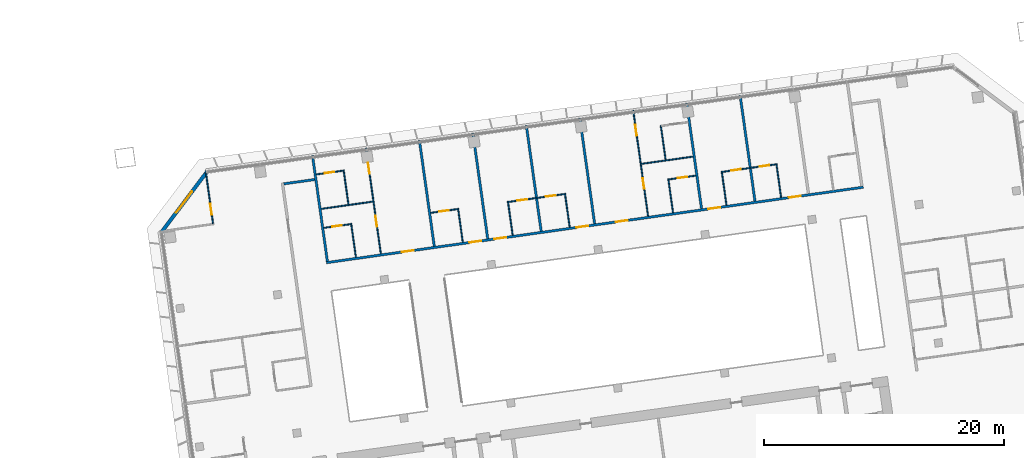
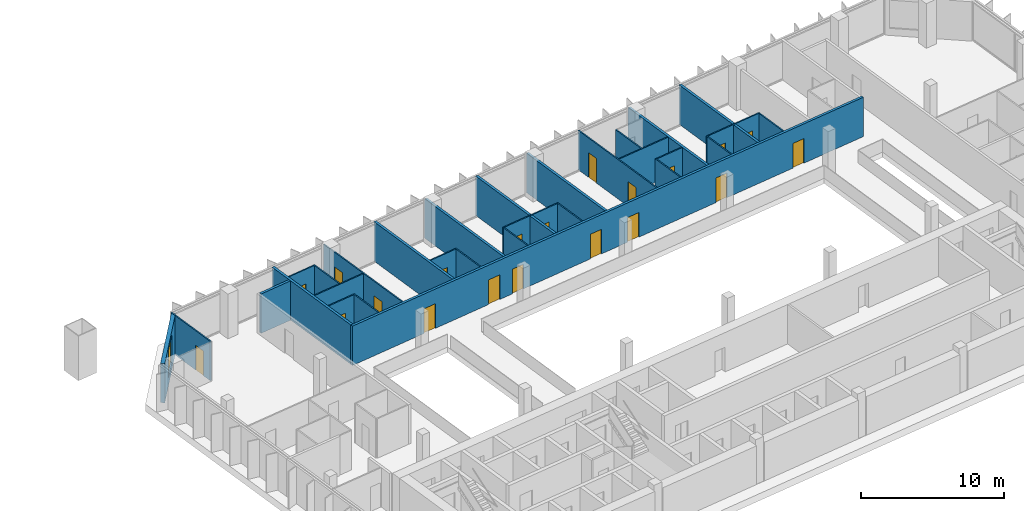
# One storey, part 20 of 24: 30 walls, 20 doors, 1 window, 21 openings.
"""IFC4 building model written with IfcOpenShell, lengths in metres."""

from ifc_helpers import new_model, si_unit, direction, frame, frame_2d, origin, place, context, subcontext, project, spatial, rectangle, extrude, material, layer, layer_set, type_object, element, fill, save


model = new_model("IFC4")

# Units and contexts
model_context = context("Model", 3, precision=1e-05, world=origin(), true_north=direction((0.0, 1.0)))
body_context = subcontext(model_context, "Body", "Model", "MODEL_VIEW")
ifc_project = project(units=[si_unit("LENGTHUNIT", "METRE"), si_unit("AREAUNIT", "SQUARE_METRE"), si_unit("VOLUMEUNIT", "CUBIC_METRE"), si_unit("PLANEANGLEUNIT", "RADIAN"), si_unit("MASSUNIT", "GRAM", prefix="KILO")], contexts=[model_context])

# Site, building, storey
site_placement = place(None, origin())
site = spatial("IfcSite", under=ifc_project, at=site_placement, CompositionType="ELEMENT")
building_placement = place(site_placement, origin())
building = spatial("IfcBuilding", under=site, at=building_placement, Name="Mirante Cascada Hotel Towers", CompositionType="ELEMENT")
storey_placement = place(building_placement, frame((0.0, 0.0, 110.1)))
storey = spatial("IfcBuildingStorey", under=building, at=storey_placement, Name="L24", CompositionType="ELEMENT", Elevation=110.1)

# Wall, openings, doors
ifc_material_1 = material(Name="Fire-rated plasterboard on metal studs")
ifc_layer_1 = layer(ifc_material_1, 0.2)
ifc_layer_set_1 = layer_set([ifc_layer_1], Name="Compartment wall 200 EI 120")
wall_type_1 = type_object("IfcWallType", Name="Compartment wall 200 EI 120", PredefinedType="PARTITIONING", material=ifc_layer_set_1)
wall_1_placement = place(storey_placement, frame((86.638, 16.0582, 0.0), z_axis=(0.0, 0.0, 1.0), x_axis=(-0.9902681, -0.1391726, 0.0)))
wall_1 = element("IfcWall", 1, at=wall_1_placement, inside=storey, type_object=wall_type_1, Name="Wall 2-L24-18", PredefinedType="PARTITIONING", context=body_context, shape_type="SweptSolid", body=[
    extrude(rectangle(XDim=45.2, YDim=0.2, at=frame_2d((22.6, 0.0))), origin(), (0.0, 0.0, 1.0), 3.35),
])
opening_1_placement = place(wall_1_placement, frame((37.85, 0.0, 0.0)))
opening_1 = element("IfcOpeningElement", 2, at=opening_1_placement, cuts=wall_1, Name="Opening D2-L24-09", PredefinedType="OPENING", context=body_context, shape_type="SweptSolid", body=[
    extrude(rectangle(XDim=1.0, YDim=2.1, at=frame_2d((0.5, 1.05))), frame((0.0, 0.1, 0.0), z_axis=(0.0, -1.0, 0.0), x_axis=(1.0, 0.0, 0.0)), (0.0, 0.0, 1.0), 0.2),
])
opening_2_placement = place(wall_1_placement, frame((32.15, 0.0, 0.0)))
opening_2 = element("IfcOpeningElement", 3, at=opening_2_placement, cuts=wall_1, Name="Opening D2-L24-10", PredefinedType="OPENING", context=body_context, shape_type="SweptSolid", body=[
    extrude(rectangle(XDim=1.0, YDim=2.1, at=frame_2d((0.5, 1.05))), frame((0.0, 0.1, 0.0), z_axis=(0.0, -1.0, 0.0), x_axis=(1.0, 0.0, 0.0)), (0.0, 0.0, 1.0), 0.2),
])
opening_3_placement = place(wall_1_placement, frame((30.05, 0.0, 0.0)))
opening_3 = element("IfcOpeningElement", 4, at=opening_3_placement, cuts=wall_1, Name="Opening D2-L24-11", PredefinedType="OPENING", context=body_context, shape_type="SweptSolid", body=[
    extrude(rectangle(XDim=1.0, YDim=2.1, at=frame_2d((0.5, 1.05))), frame((0.0, 0.1, 0.0), z_axis=(0.0, -1.0, 0.0), x_axis=(1.0, 0.0, 0.0)), (0.0, 0.0, 1.0), 0.2),
])
opening_4_placement = place(wall_1_placement, frame((23.15, 0.0, 0.0)))
opening_4 = element("IfcOpeningElement", 5, at=opening_4_placement, cuts=wall_1, Name="Opening D2-L24-12", PredefinedType="OPENING", context=body_context, shape_type="SweptSolid", body=[
    extrude(rectangle(XDim=1.0, YDim=2.1, at=frame_2d((0.5, 1.05))), frame((0.0, 0.1, 0.0), z_axis=(0.0, -1.0, 0.0), x_axis=(1.0, 0.0, 0.0)), (0.0, 0.0, 1.0), 0.2),
])
opening_5_placement = place(wall_1_placement, frame((19.85, 0.0, 0.0)))
opening_5 = element("IfcOpeningElement", 6, at=opening_5_placement, cuts=wall_1, Name="Opening D2-L24-13", PredefinedType="OPENING", context=body_context, shape_type="SweptSolid", body=[
    extrude(rectangle(XDim=1.0, YDim=2.1, at=frame_2d((0.5, 1.05))), frame((0.0, 0.1, 0.0), z_axis=(0.0, -1.0, 0.0), x_axis=(1.0, 0.0, 0.0)), (0.0, 0.0, 1.0), 0.2),
])
opening_6_placement = place(wall_1_placement, frame((12.05, 0.0, 0.0)))
opening_6 = element("IfcOpeningElement", 7, at=opening_6_placement, cuts=wall_1, Name="Opening D2-L24-14", PredefinedType="OPENING", context=body_context, shape_type="SweptSolid", body=[
    extrude(rectangle(XDim=1.0, YDim=2.1, at=frame_2d((0.5, 1.05))), frame((0.0, 0.1, 0.0), z_axis=(0.0, -1.0, 0.0), x_axis=(1.0, 0.0, 0.0)), (0.0, 0.0, 1.0), 0.2),
])
opening_7_placement = place(wall_1_placement, frame((5.25, 0.0, 0.0)))
opening_7 = element("IfcOpeningElement", 8, at=opening_7_placement, cuts=wall_1, Name="Opening D2-L24-15", PredefinedType="OPENING", context=body_context, shape_type="SweptSolid", body=[
    extrude(rectangle(XDim=1.0, YDim=2.1, at=frame_2d((0.5, 1.05))), frame((0.0, 0.1, 0.0), z_axis=(0.0, -1.0, 0.0), x_axis=(1.0, 0.0, 0.0)), (0.0, 0.0, 1.0), 0.2),
])
ifc_material_2 = material(Name="Fire-rated timber door leaf", Category="wood")
door_type_1 = type_object("IfcDoorType", Name="Entrance door DG1 1000x2100 EI 60", OperationType="SINGLE_SWING_LEFT", PredefinedType="DOOR", material=ifc_material_2)
door_1_placement = place(opening_1_placement, frame((1.0, 0.0, 0.0), z_axis=(0.0, 0.0, 1.0), x_axis=(-1.0, 0.0, 0.0)))
door_1 = element("IfcDoor", 9, at=door_1_placement, inside=storey, type_object=door_type_1, Name="Door D2-L24-09", OperationType="SINGLE_SWING_RIGHT", OverallHeight=2.1, OverallWidth=1.0, PredefinedType="DOOR", context=body_context, shape_type="SweptSolid", body=[
    extrude(rectangle(XDim=1.0, YDim=2.1, at=frame_2d((0.5, 1.05))), frame((0.0, 0.025, 0.0), z_axis=(0.0, -1.0, 0.0), x_axis=(1.0, 0.0, 0.0)), (0.0, 0.0, 1.0), 0.05),
])
fill(opening_1, door_1)
door_2_placement = place(opening_2_placement, frame((1.0, 0.0, 0.0), z_axis=(0.0, 0.0, 1.0), x_axis=(-1.0, 0.0, 0.0)))
door_2 = element("IfcDoor", 10, at=door_2_placement, inside=storey, type_object=door_type_1, Name="Door D2-L24-10", OperationType="SINGLE_SWING_RIGHT", OverallHeight=2.1, OverallWidth=1.0, PredefinedType="DOOR", context=body_context, shape_type="SweptSolid", body=[
    extrude(rectangle(XDim=1.0, YDim=2.1, at=frame_2d((0.5, 1.05))), frame((0.0, 0.025, 0.0), z_axis=(0.0, -1.0, 0.0), x_axis=(1.0, 0.0, 0.0)), (0.0, 0.0, 1.0), 0.05),
])
fill(opening_2, door_2)
door_3_placement = place(opening_3_placement, frame((1.0, 0.0, 0.0), z_axis=(0.0, 0.0, 1.0), x_axis=(-1.0, 0.0, 0.0)))
door_3 = element("IfcDoor", 11, at=door_3_placement, inside=storey, type_object=door_type_1, Name="Door D2-L24-11", OperationType="SINGLE_SWING_RIGHT", OverallHeight=2.1, OverallWidth=1.0, PredefinedType="DOOR", context=body_context, shape_type="SweptSolid", body=[
    extrude(rectangle(XDim=1.0, YDim=2.1, at=frame_2d((0.5, 1.05))), frame((0.0, 0.025, 0.0), z_axis=(0.0, -1.0, 0.0), x_axis=(1.0, 0.0, 0.0)), (0.0, 0.0, 1.0), 0.05),
])
fill(opening_3, door_3)
door_4_placement = place(opening_4_placement, frame((1.0, 0.0, 0.0), z_axis=(0.0, 0.0, 1.0), x_axis=(-1.0, 0.0, 0.0)))
door_4 = element("IfcDoor", 12, at=door_4_placement, inside=storey, type_object=door_type_1, Name="Door D2-L24-12", OperationType="SINGLE_SWING_RIGHT", OverallHeight=2.1, OverallWidth=1.0, PredefinedType="DOOR", context=body_context, shape_type="SweptSolid", body=[
    extrude(rectangle(XDim=1.0, YDim=2.1, at=frame_2d((0.5, 1.05))), frame((0.0, 0.025, 0.0), z_axis=(0.0, -1.0, 0.0), x_axis=(1.0, 0.0, 0.0)), (0.0, 0.0, 1.0), 0.05),
])
fill(opening_4, door_4)
door_5_placement = place(opening_5_placement, frame((1.0, 0.0, 0.0), z_axis=(0.0, 0.0, 1.0), x_axis=(-1.0, 0.0, 0.0)))
door_5 = element("IfcDoor", 13, at=door_5_placement, inside=storey, type_object=door_type_1, Name="Door D2-L24-13", OperationType="SINGLE_SWING_RIGHT", OverallHeight=2.1, OverallWidth=1.0, PredefinedType="DOOR", context=body_context, shape_type="SweptSolid", body=[
    extrude(rectangle(XDim=1.0, YDim=2.1, at=frame_2d((0.5, 1.05))), frame((0.0, 0.025, 0.0), z_axis=(0.0, -1.0, 0.0), x_axis=(1.0, 0.0, 0.0)), (0.0, 0.0, 1.0), 0.05),
])
fill(opening_5, door_5)
door_6_placement = place(opening_6_placement, frame((1.0, 0.0, 0.0), z_axis=(0.0, 0.0, 1.0), x_axis=(-1.0, 0.0, 0.0)))
door_6 = element("IfcDoor", 14, at=door_6_placement, inside=storey, type_object=door_type_1, Name="Door D2-L24-14", OperationType="SINGLE_SWING_RIGHT", OverallHeight=2.1, OverallWidth=1.0, PredefinedType="DOOR", context=body_context, shape_type="SweptSolid", body=[
    extrude(rectangle(XDim=1.0, YDim=2.1, at=frame_2d((0.5, 1.05))), frame((0.0, 0.025, 0.0), z_axis=(0.0, -1.0, 0.0), x_axis=(1.0, 0.0, 0.0)), (0.0, 0.0, 1.0), 0.05),
])
fill(opening_6, door_6)
door_7_placement = place(opening_7_placement, frame((1.0, 0.0, 0.0), z_axis=(0.0, 0.0, 1.0), x_axis=(-1.0, 0.0, 0.0)))
door_7 = element("IfcDoor", 15, at=door_7_placement, inside=storey, type_object=door_type_1, Name="Door D2-L24-15", OperationType="SINGLE_SWING_RIGHT", OverallHeight=2.1, OverallWidth=1.0, PredefinedType="DOOR", context=body_context, shape_type="SweptSolid", body=[
    extrude(rectangle(XDim=1.0, YDim=2.1, at=frame_2d((0.5, 1.05))), frame((0.0, 0.025, 0.0), z_axis=(0.0, -1.0, 0.0), x_axis=(1.0, 0.0, 0.0)), (0.0, 0.0, 1.0), 0.05),
])
fill(opening_7, door_7)

# Walls
wall_2_placement = place(storey_placement, frame((40.9036, 16.6995, 0.0), z_axis=(0.0, 0.0, 1.0), x_axis=(-0.9902647, -0.1391971, 0.0)))
element("IfcWall", 16, at=wall_2_placement, inside=storey, type_object=wall_type_1, Name="Wall 2-L24-28", PredefinedType="PARTITIONING", context=body_context, shape_type="SweptSolid", body=[
    extrude(rectangle(XDim=2.5999, YDim=0.2, at=frame_2d((1.3, 0.0))), origin(), (0.0, 0.0, 1.0), 3.35),
])
for number, where, z_axis, x_axis, name in (
    (17, (41.963, 9.8805, 0.0), (0.0, 0.0, 1.0), (-0.1391794, 0.9902672, 0.0), "Wall 2-L24-39"),
    (18, (50.8754, 11.1331, 0.0), (0.0, 0.0, 1.0), (-0.1391794, 0.9902672, 0.0), "Wall 2-L24-43"),
    (19, (55.3316, 11.7594, 0.0), (0.0, 0.0, 1.0), (-0.1391794, 0.9902672, 0.0), "Wall 2-L24-45"),
):
    element("IfcWall", number, at=place(storey_placement, frame(where, z_axis=z_axis, x_axis=x_axis)), inside=storey, type_object=wall_type_1, Name=name, PredefinedType="PARTITIONING", context=body_context, shape_type="SweptSolid", body=[
        extrude(rectangle(XDim=8.9, YDim=0.2, at=frame_2d((4.45, 0.0))), origin(), (0.0, 0.0, 1.0), 3.35),
    ])
wall_3_placement = place(storey_placement, frame((59.7878, 12.3857, 0.0), z_axis=(0.0, 0.0, 1.0), x_axis=(-0.13917, 0.9902685, 0.0)))
element("IfcWall", 20, at=wall_3_placement, inside=storey, type_object=wall_type_1, Name="Wall 2-L24-47", PredefinedType="PARTITIONING", context=body_context, shape_type="SweptSolid", body=[
    extrude(rectangle(XDim=8.8999, YDim=0.2, at=frame_2d((4.45, 0.0))), origin(), (0.0, 0.0, 1.0), 3.35),
])
for number, where, z_axis, x_axis, name in (
    (21, (64.244, 13.0119, 0.0), (0.0, 0.0, 1.0), (-0.1391684, 0.9902687, 0.0), "Wall 2-L24-49"),
    (22, (73.1564, 14.2645, 0.0), (0.0, 0.0, 1.0), (-0.1391684, 0.9902687, 0.0), "Wall 2-L24-53"),
    (23, (77.6126, 14.8908, 0.0), (0.0, 0.0, 1.0), (-0.1391684, 0.9902687, 0.0), "Wall 2-L24-55"),
):
    element("IfcWall", number, at=place(storey_placement, frame(where, z_axis=z_axis, x_axis=x_axis)), inside=storey, type_object=wall_type_1, Name=name, PredefinedType="PARTITIONING", context=body_context, shape_type="SweptSolid", body=[
        extrude(rectangle(XDim=8.9, YDim=0.2, at=frame_2d((4.45, 0.0))), origin(), (0.0, 0.0, 1.0), 3.35),
    ])

# Wall, opening, door
ifc_material_3 = material(Name="Plasterboard on metal studs")
ifc_layer_2 = layer(ifc_material_3, 0.1)
ifc_layer_set_2 = layer_set([ifc_layer_2], Name="Partition 100")
wall_type_2 = type_object("IfcWallType", Name="Partition 100", PredefinedType="PARTITIONING", material=ifc_layer_set_2)
wall_4_placement = place(storey_placement, frame((41.6723, 12.6672, 0.0), z_axis=(0.0, 0.0, 1.0), x_axis=(0.9902643, 0.1391997, 0.0)))
wall_4 = element("IfcWall", 24, at=wall_4_placement, inside=storey, type_object=wall_type_2, Name="Wall 2-L24-19", PredefinedType="PARTITIONING", context=body_context, shape_type="SweptSolid", body=[
    extrude(rectangle(XDim=2.25, YDim=0.1, at=frame_2d((1.125, 0.0))), origin(), (0.0, 0.0, 1.0), 3.35),
])
opening_8_placement = place(wall_4_placement, frame((0.7, 0.0, 0.0)))
opening_8 = element("IfcOpeningElement", 25, at=opening_8_placement, cuts=wall_4, Name="Opening D2-L24-16", PredefinedType="OPENING", context=body_context, shape_type="SweptSolid", body=[
    extrude(rectangle(XDim=0.8, YDim=2.1, at=frame_2d((0.4, 1.05))), frame((0.0, 0.05, 0.0), z_axis=(0.0, -1.0, 0.0), x_axis=(1.0, 0.0, 0.0)), (0.0, 0.0, 1.0), 0.1),
])
ifc_material_4 = material(Name="Timber door leaf", Category="wood")
door_type_2 = type_object("IfcDoorType", Name="Bathroom door DG4 800x2100", OperationType="SINGLE_SWING_LEFT", PredefinedType="DOOR", material=ifc_material_4)
door_8_placement = place(opening_8_placement, frame((0.8, 0.0, 0.0), z_axis=(0.0, 0.0, 1.0), x_axis=(-1.0, 0.0, 0.0)))
door_8 = element("IfcDoor", 26, at=door_8_placement, inside=storey, type_object=door_type_2, Name="Door D2-L24-16", OperationType="SINGLE_SWING_RIGHT", OverallHeight=2.1, OverallWidth=0.8, PredefinedType="DOOR", context=body_context, shape_type="SweptSolid", body=[
    extrude(rectangle(XDim=0.8, YDim=2.1, at=frame_2d((0.4, 1.05))), frame((0.0, 0.025, 0.0), z_axis=(0.0, -1.0, 0.0), x_axis=(1.0, 0.0, 0.0)), (0.0, 0.0, 1.0), 0.05),
])
fill(opening_8, door_8)

wall_5_placement = place(storey_placement, frame((52.8128, 14.2329, 0.0), z_axis=(0.0, 0.0, 1.0), x_axis=(-0.9902705, -0.1391561, 0.0)))
wall_5 = element("IfcWall", 27, at=wall_5_placement, inside=storey, type_object=wall_type_2, Name="Wall 2-L24-20", PredefinedType="PARTITIONING", context=body_context, shape_type="SweptSolid", body=[
    extrude(rectangle(XDim=2.25, YDim=0.1, at=frame_2d((1.125, 0.0))), origin(), (0.0, 0.0, 1.0), 3.35),
])
opening_9_placement = place(wall_5_placement, frame((0.75, 0.0, 0.0)))
opening_9 = element("IfcOpeningElement", 28, at=opening_9_placement, cuts=wall_5, Name="Opening D2-L24-17", PredefinedType="OPENING", context=body_context, shape_type="SweptSolid", body=[
    extrude(rectangle(XDim=0.8, YDim=2.1, at=frame_2d((0.4, 1.05))), frame((0.0, 0.05, 0.0), z_axis=(0.0, -1.0, 0.0), x_axis=(1.0, 0.0, 0.0)), (0.0, 0.0, 1.0), 0.1),
])
door_9_placement = place(opening_9_placement, frame((0.8, 0.0, 0.0), z_axis=(0.0, 0.0, 1.0), x_axis=(-1.0, 0.0, 0.0)))
door_9 = element("IfcDoor", 29, at=door_9_placement, inside=storey, type_object=door_type_2, Name="Door D2-L24-17", OperationType="SINGLE_SWING_RIGHT", OverallHeight=2.1, OverallWidth=0.8, PredefinedType="DOOR", context=body_context, shape_type="SweptSolid", body=[
    extrude(rectangle(XDim=0.8, YDim=2.1, at=frame_2d((0.4, 1.05))), frame((0.0, 0.025, 0.0), z_axis=(0.0, -1.0, 0.0), x_axis=(1.0, 0.0, 0.0)), (0.0, 0.0, 1.0), 0.05),
])
fill(opening_9, door_9)

# Wall, openings, doors
wall_6_placement = place(storey_placement, frame((56.972, 14.8174, 0.0), z_axis=(0.0, 0.0, 1.0), x_axis=(0.9902666, 0.1391838, 0.0)))
wall_6 = element("IfcWall", 30, at=wall_6_placement, inside=storey, type_object=wall_type_2, Name="Wall 2-L24-21", PredefinedType="PARTITIONING", context=body_context, shape_type="SweptSolid", body=[
    extrude(rectangle(XDim=4.9, YDim=0.1, at=frame_2d((2.45, 0.0))), origin(), (0.0, 0.0, 1.0), 3.35),
])
opening_10_placement = place(wall_6_placement, frame((0.85, 0.0, 0.0)))
opening_10 = element("IfcOpeningElement", 31, at=opening_10_placement, cuts=wall_6, Name="Opening D2-L24-18", PredefinedType="OPENING", context=body_context, shape_type="SweptSolid", body=[
    extrude(rectangle(XDim=0.8, YDim=2.1, at=frame_2d((0.4, 1.05))), frame((0.0, 0.05, 0.0), z_axis=(0.0, -1.0, 0.0), x_axis=(1.0, 0.0, 0.0)), (0.0, 0.0, 1.0), 0.1),
])
opening_11_placement = place(wall_6_placement, frame((3.25, 0.0, 0.0)))
opening_11 = element("IfcOpeningElement", 32, at=opening_11_placement, cuts=wall_6, Name="Opening D2-L24-19", PredefinedType="OPENING", context=body_context, shape_type="SweptSolid", body=[
    extrude(rectangle(XDim=0.8, YDim=2.1, at=frame_2d((0.4, 1.05))), frame((0.0, 0.05, 0.0), z_axis=(0.0, -1.0, 0.0), x_axis=(1.0, 0.0, 0.0)), (0.0, 0.0, 1.0), 0.1),
])
door_10_placement = place(opening_10_placement, origin())
door_10 = element("IfcDoor", 33, at=door_10_placement, inside=storey, type_object=door_type_2, Name="Door D2-L24-18", OperationType="SINGLE_SWING_LEFT", OverallHeight=2.1, OverallWidth=0.8, PredefinedType="DOOR", context=body_context, shape_type="SweptSolid", body=[
    extrude(rectangle(XDim=0.8, YDim=2.1, at=frame_2d((0.4, 1.05))), frame((0.0, 0.025, 0.0), z_axis=(0.0, -1.0, 0.0), x_axis=(1.0, 0.0, 0.0)), (0.0, 0.0, 1.0), 0.05),
])
fill(opening_10, door_10)
door_11_placement = place(opening_11_placement, origin())
door_11 = element("IfcDoor", 34, at=door_11_placement, inside=storey, type_object=door_type_2, Name="Door D2-L24-19", OperationType="SINGLE_SWING_LEFT", OverallHeight=2.1, OverallWidth=0.8, PredefinedType="DOOR", context=body_context, shape_type="SweptSolid", body=[
    extrude(rectangle(XDim=0.8, YDim=2.1, at=frame_2d((0.4, 1.05))), frame((0.0, 0.025, 0.0), z_axis=(0.0, -1.0, 0.0), x_axis=(1.0, 0.0, 0.0)), (0.0, 0.0, 1.0), 0.05),
])
fill(opening_11, door_11)

# Wall, opening, door
wall_7_placement = place(storey_placement, frame((72.6677, 17.0233, 0.0), z_axis=(0.0, 0.0, 1.0), x_axis=(-0.9902705, -0.1391561, 0.0)))
wall_7 = element("IfcWall", 35, at=wall_7_placement, inside=storey, type_object=wall_type_2, Name="Wall 2-L24-22", PredefinedType="PARTITIONING", context=body_context, shape_type="SweptSolid", body=[
    extrude(rectangle(XDim=2.25, YDim=0.1, at=frame_2d((1.125, 0.0))), origin(), (0.0, 0.0, 1.0), 3.35),
])
opening_12_placement = place(wall_7_placement, frame((0.7, 0.0, 0.0)))
opening_12 = element("IfcOpeningElement", 36, at=opening_12_placement, cuts=wall_7, Name="Opening D2-L24-20", PredefinedType="OPENING", context=body_context, shape_type="SweptSolid", body=[
    extrude(rectangle(XDim=0.8, YDim=2.1, at=frame_2d((0.4, 1.05))), frame((0.0, 0.05, 0.0), z_axis=(0.0, -1.0, 0.0), x_axis=(1.0, 0.0, 0.0)), (0.0, 0.0, 1.0), 0.1),
])
door_12_placement = place(opening_12_placement, origin())
door_12 = element("IfcDoor", 37, at=door_12_placement, inside=storey, type_object=door_type_2, Name="Door D2-L24-20", OperationType="SINGLE_SWING_LEFT", OverallHeight=2.1, OverallWidth=0.8, PredefinedType="DOOR", context=body_context, shape_type="SweptSolid", body=[
    extrude(rectangle(XDim=0.8, YDim=2.1, at=frame_2d((0.4, 1.05))), frame((0.0, 0.025, 0.0), z_axis=(0.0, -1.0, 0.0), x_axis=(1.0, 0.0, 0.0)), (0.0, 0.0, 1.0), 0.05),
])
fill(opening_12, door_12)

# Wall, openings, doors
wall_8_placement = place(storey_placement, frame((74.7968, 17.3226, 0.0), z_axis=(0.0, 0.0, 1.0), x_axis=(0.9902682, 0.139172, 0.0)))
wall_8 = element("IfcWall", 38, at=wall_8_placement, inside=storey, type_object=wall_type_2, Name="Wall 2-L24-23", PredefinedType="PARTITIONING", context=body_context, shape_type="SweptSolid", body=[
    extrude(rectangle(XDim=4.6999, YDim=0.1, at=frame_2d((2.35, 0.0))), origin(), (0.0, 0.0, 1.0), 3.35),
])
opening_13_placement = place(wall_8_placement, frame((0.85, 0.0, 0.0)))
opening_13 = element("IfcOpeningElement", 39, at=opening_13_placement, cuts=wall_8, Name="Opening D2-L24-21", PredefinedType="OPENING", context=body_context, shape_type="SweptSolid", body=[
    extrude(rectangle(XDim=0.8, YDim=2.1, at=frame_2d((0.4, 1.05))), frame((0.0, 0.05, 0.0), z_axis=(0.0, -1.0, 0.0), x_axis=(1.0, 0.0, 0.0)), (0.0, 0.0, 1.0), 0.1),
])
opening_14_placement = place(wall_8_placement, frame((3.25, 0.0, 0.0)))
opening_14 = element("IfcOpeningElement", 40, at=opening_14_placement, cuts=wall_8, Name="Opening D2-L24-22", PredefinedType="OPENING", context=body_context, shape_type="SweptSolid", body=[
    extrude(rectangle(XDim=0.8, YDim=2.1, at=frame_2d((0.4, 1.05))), frame((0.0, 0.05, 0.0), z_axis=(0.0, -1.0, 0.0), x_axis=(1.0, 0.0, 0.0)), (0.0, 0.0, 1.0), 0.1),
])
door_13_placement = place(opening_13_placement, origin())
door_13 = element("IfcDoor", 41, at=door_13_placement, inside=storey, type_object=door_type_2, Name="Door D2-L24-21", OperationType="SINGLE_SWING_LEFT", OverallHeight=2.1, OverallWidth=0.8, PredefinedType="DOOR", context=body_context, shape_type="SweptSolid", body=[
    extrude(rectangle(XDim=0.8, YDim=2.1, at=frame_2d((0.4, 1.05))), frame((0.0, 0.025, 0.0), z_axis=(0.0, -1.0, 0.0), x_axis=(1.0, 0.0, 0.0)), (0.0, 0.0, 1.0), 0.05),
])
fill(opening_13, door_13)
door_14_placement = place(opening_14_placement, origin())
door_14 = element("IfcDoor", 42, at=door_14_placement, inside=storey, type_object=door_type_2, Name="Door D2-L24-22", OperationType="SINGLE_SWING_LEFT", OverallHeight=2.1, OverallWidth=0.8, PredefinedType="DOOR", context=body_context, shape_type="SweptSolid", body=[
    extrude(rectangle(XDim=0.8, YDim=2.1, at=frame_2d((0.4, 1.05))), frame((0.0, 0.025, 0.0), z_axis=(0.0, -1.0, 0.0), x_axis=(1.0, 0.0, 0.0)), (0.0, 0.0, 1.0), 0.05),
])
fill(opening_14, door_14)

# Walls
wall_9_placement = place(storey_placement, frame((45.7573, 14.857, 0.0), z_axis=(0.0, 0.0, 1.0), x_axis=(-0.9902683, -0.1391714, 0.0)))
element("IfcWall", 43, at=wall_9_placement, inside=storey, type_object=wall_type_2, Name="Wall 2-L24-26", PredefinedType="PARTITIONING", context=body_context, shape_type="SweptSolid", body=[
    extrude(rectangle(XDim=4.35, YDim=0.1, at=frame_2d((2.175, 0.0))), origin(), (0.0, 0.0, 1.0), 3.35),
])
wall_10_placement = place(storey_placement, frame((68.1374, 18.0024, 0.0), z_axis=(0.0, 0.0, 1.0), x_axis=(0.9902679, 0.1391745, 0.0)))
element("IfcWall", 44, at=wall_10_placement, inside=storey, type_object=wall_type_2, Name="Wall 2-L24-27", PredefinedType="PARTITIONING", context=body_context, shape_type="SweptSolid", body=[
    extrude(rectangle(XDim=4.3499, YDim=0.1, at=frame_2d((2.175, 0.0))), origin(), (0.0, 0.0, 1.0), 3.35),
])

# Wall, opening, door
wall_11_placement = place(storey_placement, frame((43.2741, 17.4366, 0.0), z_axis=(0.0, 0.0, 1.0), x_axis=(-0.9902643, -0.1391997, 0.0)))
wall_11 = element("IfcWall", 45, at=wall_11_placement, inside=storey, type_object=wall_type_2, Name="Wall 2-L24-30", PredefinedType="PARTITIONING", context=body_context, shape_type="SweptSolid", body=[
    extrude(rectangle(XDim=2.25, YDim=0.1, at=frame_2d((1.125, 0.0))), origin(), (0.0, 0.0, 1.0), 3.35),
])
opening_15_placement = place(wall_11_placement, frame((0.75, 0.0, 0.0)))
opening_15 = element("IfcOpeningElement", 46, at=opening_15_placement, cuts=wall_11, Name="Opening D2-L24-24", PredefinedType="OPENING", context=body_context, shape_type="SweptSolid", body=[
    extrude(rectangle(XDim=0.8, YDim=2.1, at=frame_2d((0.4, 1.05))), frame((0.0, 0.05, 0.0), z_axis=(0.0, -1.0, 0.0), x_axis=(1.0, 0.0, 0.0)), (0.0, 0.0, 1.0), 0.1),
])
door_15_placement = place(opening_15_placement, origin())
door_15 = element("IfcDoor", 47, at=door_15_placement, inside=storey, type_object=door_type_2, Name="Door D2-L24-24", OperationType="SINGLE_SWING_LEFT", OverallHeight=2.1, OverallWidth=0.8, PredefinedType="DOOR", context=body_context, shape_type="SweptSolid", body=[
    extrude(rectangle(XDim=0.8, YDim=2.1, at=frame_2d((0.4, 1.05))), frame((0.0, 0.025, 0.0), z_axis=(0.0, -1.0, 0.0), x_axis=(1.0, 0.0, 0.0)), (0.0, 0.0, 1.0), 0.05),
])
fill(opening_15, door_15)

wall_12_placement = place(storey_placement, frame((32.4312, 13.0347, 0.0), z_axis=(0.0, 0.0, 1.0), x_axis=(-0.1391684, 0.9902687, 0.0)))
wall_12 = element("IfcWall", 48, at=wall_12_placement, inside=storey, type_object=wall_type_2, Name="Wall 2-L24-35", PredefinedType="PARTITIONING", context=body_context, shape_type="SweptSolid", body=[
    extrude(rectangle(XDim=4.45, YDim=0.1, at=frame_2d((2.225, 0.0))), origin(), (0.0, 0.0, 1.0), 3.35),
])
opening_16_placement = place(wall_12_placement, frame((0.75, 0.0, 0.0)))
opening_16 = element("IfcOpeningElement", 49, at=opening_16_placement, cuts=wall_12, Name="Opening D2-L24-29", PredefinedType="OPENING", context=body_context, shape_type="SweptSolid", body=[
    extrude(rectangle(XDim=0.9, YDim=2.1, at=frame_2d((0.45, 1.05))), frame((0.0, 0.05, 0.0), z_axis=(0.0, -1.0, 0.0), x_axis=(1.0, 0.0, 0.0)), (0.0, 0.0, 1.0), 0.1),
])
ifc_material_5 = material(Name="Timber door leaf", Category="wood")
door_type_3 = type_object("IfcDoorType", Name="Room door DG3 900x2100", OperationType="SINGLE_SWING_LEFT", PredefinedType="DOOR", material=ifc_material_5)
door_16_placement = place(opening_16_placement, frame((0.9, 0.0, 0.0), z_axis=(0.0, 0.0, 1.0), x_axis=(-1.0, 0.0, 0.0)))
door_16 = element("IfcDoor", 50, at=door_16_placement, inside=storey, type_object=door_type_3, Name="Door D2-L24-29", OperationType="SINGLE_SWING_RIGHT", OverallHeight=2.1, OverallWidth=0.9, PredefinedType="DOOR", context=body_context, shape_type="SweptSolid", body=[
    extrude(rectangle(XDim=0.9, YDim=2.1, at=frame_2d((0.45, 1.05))), frame((0.0, 0.025, 0.0), z_axis=(0.0, -1.0, 0.0), x_axis=(1.0, 0.0, 0.0)), (0.0, 0.0, 1.0), 0.05),
])
fill(opening_16, door_16)

# Walls
wall_13_placement = place(storey_placement, frame((43.943, 13.0368, 0.0), z_axis=(0.0, 0.0, 1.0), x_axis=(0.1391613, -0.9902697, 0.0)))
element("IfcWall", 51, at=wall_13_placement, inside=storey, type_object=wall_type_2, Name="Wall 2-L24-40", PredefinedType="PARTITIONING", context=body_context, shape_type="SweptSolid", body=[
    extrude(rectangle(XDim=2.8499, YDim=0.1, at=frame_2d((1.425, 0.0))), origin(), (0.0, 0.0, 1.0), 3.35),
])
wall_14_placement = place(storey_placement, frame((43.7203, 14.6213, 0.0), z_axis=(0.0, 0.0, 1.0), x_axis=(-0.1391761, 0.9902676, 0.0)))
element("IfcWall", 52, at=wall_14_placement, inside=storey, type_object=wall_type_2, Name="Wall 2-L24-41", PredefinedType="PARTITIONING", context=body_context, shape_type="SweptSolid", body=[
    extrude(rectangle(XDim=2.8999, YDim=0.1, at=frame_2d((1.45, 0.0))), origin(), (0.0, 0.0, 1.0), 3.35),
])

# Wall, openings, doors
wall_15_placement = place(storey_placement, frame((45.1805, 19.3202, 0.0), z_axis=(0.0, 0.0, 1.0), x_axis=(0.1391794, -0.9902672, 0.0)))
wall_15 = element("IfcWall", 53, at=wall_15_placement, inside=storey, type_object=wall_type_2, Name="Wall 2-L24-42", PredefinedType="PARTITIONING", context=body_context, shape_type="SweptSolid", body=[
    extrude(rectangle(XDim=8.9, YDim=0.1, at=frame_2d((4.45, 0.0))), origin(), (0.0, 0.0, 1.0), 3.35),
])
opening_17_placement = place(wall_15_placement, frame((5.7, 0.0, 0.0)))
opening_17 = element("IfcOpeningElement", 54, at=opening_17_placement, cuts=wall_15, Name="Opening D2-L24-32", PredefinedType="OPENING", context=body_context, shape_type="SweptSolid", body=[
    extrude(rectangle(XDim=0.9, YDim=2.1, at=frame_2d((0.45, 1.05))), frame((0.0, 0.05, 0.0), z_axis=(0.0, -1.0, 0.0), x_axis=(1.0, 0.0, 0.0)), (0.0, 0.0, 1.0), 0.1),
])
opening_18_placement = place(wall_15_placement, frame((1.25, 0.0, 0.0)))
opening_18 = element("IfcOpeningElement", 55, at=opening_18_placement, cuts=wall_15, Name="Opening D2-L24-33", PredefinedType="OPENING", context=body_context, shape_type="SweptSolid", body=[
    extrude(rectangle(XDim=0.9, YDim=2.1, at=frame_2d((0.45, 1.05))), frame((0.0, 0.05, 0.0), z_axis=(0.0, -1.0, 0.0), x_axis=(1.0, 0.0, 0.0)), (0.0, 0.0, 1.0), 0.1),
])
door_17_placement = place(opening_17_placement, origin())
door_17 = element("IfcDoor", 56, at=door_17_placement, inside=storey, type_object=door_type_3, Name="Door D2-L24-32", OperationType="SINGLE_SWING_LEFT", OverallHeight=2.1, OverallWidth=0.9, PredefinedType="DOOR", context=body_context, shape_type="SweptSolid", body=[
    extrude(rectangle(XDim=0.9, YDim=2.1, at=frame_2d((0.45, 1.05))), frame((0.0, 0.025, 0.0), z_axis=(0.0, -1.0, 0.0), x_axis=(1.0, 0.0, 0.0)), (0.0, 0.0, 1.0), 0.05),
])
fill(opening_17, door_17)
door_18_placement = place(opening_18_placement, origin())
door_18 = element("IfcDoor", 57, at=door_18_placement, inside=storey, type_object=door_type_3, Name="Door D2-L24-33", OperationType="SINGLE_SWING_LEFT", OverallHeight=2.1, OverallWidth=0.9, PredefinedType="DOOR", context=body_context, shape_type="SweptSolid", body=[
    extrude(rectangle(XDim=0.9, YDim=2.1, at=frame_2d((0.45, 1.05))), frame((0.0, 0.025, 0.0), z_axis=(0.0, -1.0, 0.0), x_axis=(1.0, 0.0, 0.0)), (0.0, 0.0, 1.0), 0.05),
])
fill(opening_18, door_18)

# Walls
wall_16_placement = place(storey_placement, frame((52.8554, 14.2894, 0.0), z_axis=(0.0, 0.0, 1.0), x_axis=(0.1391564, -0.9902704, 0.0)))
element("IfcWall", 58, at=wall_16_placement, inside=storey, type_object=wall_type_2, Name="Wall 2-L24-44", PredefinedType="PARTITIONING", context=body_context, shape_type="SweptSolid", body=[
    extrude(rectangle(XDim=2.85, YDim=0.1, at=frame_2d((1.425, 0.0))), origin(), (0.0, 0.0, 1.0), 3.35),
])
wall_17_placement = place(storey_placement, frame((57.0284, 14.7749, 0.0), z_axis=(0.0, 0.0, 1.0), x_axis=(0.1391963, -0.9902648, 0.0)))
element("IfcWall", 59, at=wall_17_placement, inside=storey, type_object=wall_type_2, Name="Wall 2-L24-46", PredefinedType="PARTITIONING", context=body_context, shape_type="SweptSolid", body=[
    extrude(rectangle(XDim=2.7501, YDim=0.1, at=frame_2d((1.3751, 0.0))), origin(), (0.0, 0.0, 1.0), 3.35),
])
wall_18_placement = place(storey_placement, frame((61.7817, 15.4429, 0.0), z_axis=(0.0, 0.0, 1.0), x_axis=(0.1391657, -0.9902691, 0.0)))
element("IfcWall", 60, at=wall_18_placement, inside=storey, type_object=wall_type_2, Name="Wall 2-L24-48", PredefinedType="PARTITIONING", context=body_context, shape_type="SweptSolid", body=[
    extrude(rectangle(XDim=2.75, YDim=0.1, at=frame_2d((1.375, 0.0))), origin(), (0.0, 0.0, 1.0), 3.35),
])

# Wall, openings, doors
wall_19_placement = place(storey_placement, frame((67.4616, 22.4516, 0.0), z_axis=(0.0, 0.0, 1.0), x_axis=(0.1391684, -0.9902687, 0.0)))
wall_19 = element("IfcWall", 61, at=wall_19_placement, inside=storey, type_object=wall_type_2, Name="Wall 2-L24-50", PredefinedType="PARTITIONING", context=body_context, shape_type="SweptSolid", body=[
    extrude(rectangle(XDim=8.9, YDim=0.1, at=frame_2d((4.45, 0.0))), origin(), (0.0, 0.0, 1.0), 3.35),
])
opening_19_placement = place(wall_19_placement, frame((5.7, 0.0, 0.0)))
opening_19 = element("IfcOpeningElement", 62, at=opening_19_placement, cuts=wall_19, Name="Opening D2-L24-34", PredefinedType="OPENING", context=body_context, shape_type="SweptSolid", body=[
    extrude(rectangle(XDim=0.9, YDim=2.1, at=frame_2d((0.45, 1.05))), frame((0.0, 0.05, 0.0), z_axis=(0.0, -1.0, 0.0), x_axis=(1.0, 0.0, 0.0)), (0.0, 0.0, 1.0), 0.1),
])
opening_20_placement = place(wall_19_placement, frame((1.2, 0.0, 0.0)))
opening_20 = element("IfcOpeningElement", 63, at=opening_20_placement, cuts=wall_19, Name="Opening D2-L24-35", PredefinedType="OPENING", context=body_context, shape_type="SweptSolid", body=[
    extrude(rectangle(XDim=0.9, YDim=2.1, at=frame_2d((0.45, 1.05))), frame((0.0, 0.05, 0.0), z_axis=(0.0, -1.0, 0.0), x_axis=(1.0, 0.0, 0.0)), (0.0, 0.0, 1.0), 0.1),
])
door_19_placement = place(opening_19_placement, frame((0.9, 0.0, 0.0), z_axis=(0.0, 0.0, 1.0), x_axis=(-1.0, 0.0, 0.0)))
door_19 = element("IfcDoor", 64, at=door_19_placement, inside=storey, type_object=door_type_3, Name="Door D2-L24-34", OperationType="SINGLE_SWING_RIGHT", OverallHeight=2.1, OverallWidth=0.9, PredefinedType="DOOR", context=body_context, shape_type="SweptSolid", body=[
    extrude(rectangle(XDim=0.9, YDim=2.1, at=frame_2d((0.45, 1.05))), frame((0.0, 0.025, 0.0), z_axis=(0.0, -1.0, 0.0), x_axis=(1.0, 0.0, 0.0)), (0.0, 0.0, 1.0), 0.05),
])
fill(opening_19, door_19)
door_20_placement = place(opening_20_placement, frame((0.9, 0.0, 0.0), z_axis=(0.0, 0.0, 1.0), x_axis=(-1.0, 0.0, 0.0)))
door_20 = element("IfcDoor", 65, at=door_20_placement, inside=storey, type_object=door_type_3, Name="Door D2-L24-35", OperationType="SINGLE_SWING_RIGHT", OverallHeight=2.1, OverallWidth=0.9, PredefinedType="DOOR", context=body_context, shape_type="SweptSolid", body=[
    extrude(rectangle(XDim=0.9, YDim=2.1, at=frame_2d((0.45, 1.05))), frame((0.0, 0.025, 0.0), z_axis=(0.0, -1.0, 0.0), x_axis=(1.0, 0.0, 0.0)), (0.0, 0.0, 1.0), 0.05),
])
fill(opening_20, door_20)

# Walls
wall_20_placement = place(storey_placement, frame((70.7798, 13.9305, 0.0), z_axis=(0.0, 0.0, 1.0), x_axis=(-0.1391957, 0.9902649, 0.0)))
element("IfcWall", 66, at=wall_20_placement, inside=storey, type_object=wall_type_2, Name="Wall 2-L24-51", PredefinedType="PARTITIONING", context=body_context, shape_type="SweptSolid", body=[
    extrude(rectangle(XDim=2.8499, YDim=0.1, at=frame_2d((1.425, 0.0))), origin(), (0.0, 0.0, 1.0), 3.35),
])
wall_21_placement = place(storey_placement, frame((69.7568, 21.209, 0.0), z_axis=(0.0, 0.0, 1.0), x_axis=(0.1392052, -0.9902636, 0.0)))
element("IfcWall", 67, at=wall_21_placement, inside=storey, type_object=wall_type_2, Name="Wall 2-L24-52", PredefinedType="PARTITIONING", context=body_context, shape_type="SweptSolid", body=[
    extrude(rectangle(XDim=2.9, YDim=0.1, at=frame_2d((1.45, 0.0))), origin(), (0.0, 0.0, 1.0), 3.35),
])
for number, where, z_axis, x_axis, name in (
    (68, (74.8533, 17.28, 0.0), (0.0, 0.0, 1.0), (0.1391657, -0.9902691, 0.0), "Wall 2-L24-54"),
    (69, (79.4085, 17.9202, 0.0), (0.0, 0.0, 1.0), (0.1391657, -0.9902691, 0.0), "Wall 2-L24-56"),
):
    element("IfcWall", number, at=place(storey_placement, frame(where, z_axis=z_axis, x_axis=x_axis)), inside=storey, type_object=wall_type_2, Name=name, PredefinedType="PARTITIONING", context=body_context, shape_type="SweptSolid", body=[
        extrude(rectangle(XDim=2.75, YDim=0.1, at=frame_2d((1.375, 0.0))), origin(), (0.0, 0.0, 1.0), 3.35),
    ])

# Wall, opening, window
ifc_material_6 = material(Name="Precast concrete C40/50", Category="concrete")
ifc_layer_3 = layer(ifc_material_6, 0.3)
ifc_layer_set_3 = layer_set([ifc_layer_3], Name="Precast concrete C40/50 cladding wall 300")
wall_type_3 = type_object("IfcWallType", Name="Precast concrete C40/50 cladding wall 300", PredefinedType="STANDARD", material=ifc_layer_set_3)
wall_22_placement = place(storey_placement, frame((31.857, 17.252, 0.0), z_axis=(0.0, 0.0, 1.0), x_axis=(-0.6018141, -0.7986362, 0.0)))
wall_22 = element("IfcWall", 70, at=wall_22_placement, inside=storey, type_object=wall_type_3, Name="Corner cladding wall T2 L24 front inner", PredefinedType="STANDARD", context=body_context, shape_type="SweptSolid", body=[
    extrude(rectangle(XDim=6.1157, YDim=0.3, at=frame_2d((3.0578, 0.0))), origin(), (0.0, 0.0, 1.0), 3.35),
])
opening_21_placement = place(wall_22_placement, frame((1.9578, 0.0, 0.6)))
opening_21 = element("IfcOpeningElement", 71, at=opening_21_placement, cuts=wall_22, Name="Opening W2-24-05", PredefinedType="OPENING", context=body_context, shape_type="SweptSolid", body=[
    extrude(rectangle(XDim=2.2, YDim=2.4, at=frame_2d((1.1, 1.2))), frame((0.0, 0.15, 0.0), z_axis=(0.0, -1.0, 0.0), x_axis=(1.0, 0.0, 0.0)), (0.0, 0.0, 1.0), 0.3),
])
ifc_material_7 = material(Name="Aluminium frame with clear double glazing", Category="aluminium")
window_type = type_object("IfcWindowType", Name="Corner suite window 2200x2400", PartitioningType="DOUBLE_PANEL_VERTICAL", PredefinedType="WINDOW", material=ifc_material_7)
window_placement = place(opening_21_placement, origin())
window = element("IfcWindow", 72, at=window_placement, inside=storey, type_object=window_type, Name="Window W2-24-05", OverallHeight=2.4, OverallWidth=2.2, PartitioningType="SINGLE_PANEL", PredefinedType="WINDOW", context=body_context, shape_type="SweptSolid", body=[
    extrude(rectangle(XDim=2.2, YDim=2.4, at=frame_2d((1.1, 1.2))), frame((0.0, 0.03, 0.0), z_axis=(0.0, -1.0, 0.0), x_axis=(1.0, 0.0, 0.0)), (0.0, 0.0, 1.0), 0.06),
])
fill(opening_21, window)

save(model, "model.ifc")
